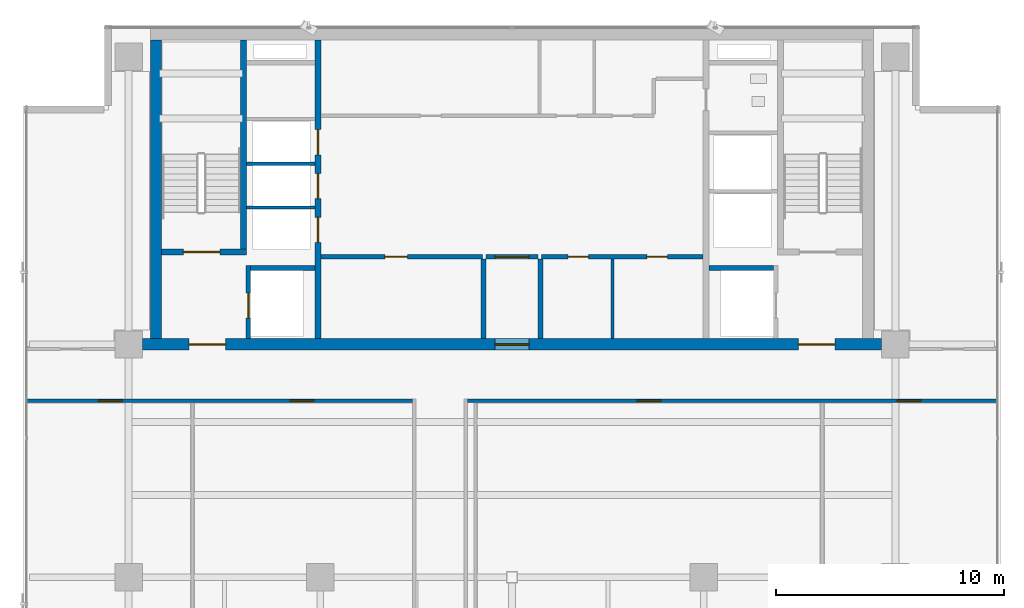
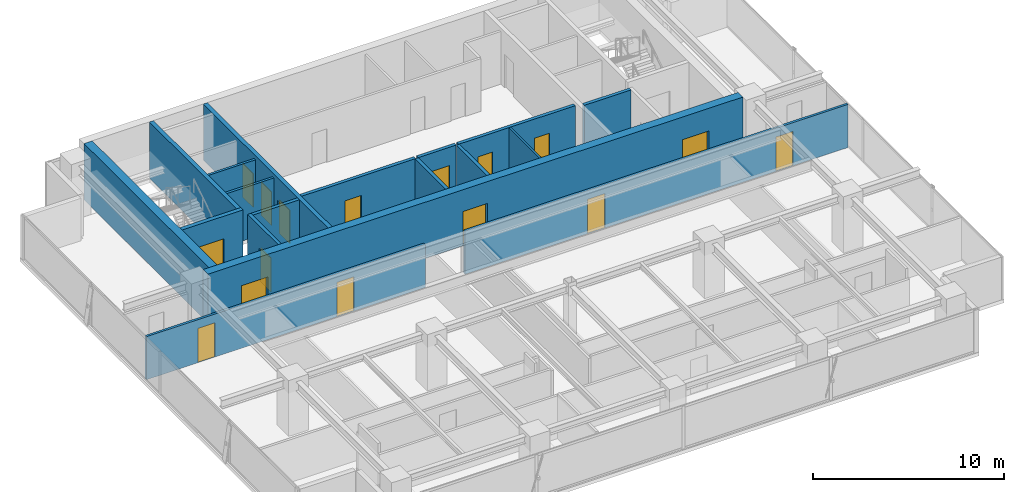
# One storey, part 15 of 22: 18 walls, 16 doors, 16 openings.
"""IFC4 building model written with IfcOpenShell, lengths in metres."""

from ifc_helpers import new_model, si_unit, direction, frame, frame_2d, origin, place, context, subcontext, project, spatial, rectangle, extrude, source, transform, mapped, material, layer, layer_set, type_object, element, fill, save


model = new_model("IFC4")

# Units and contexts
model_context = context("Model", 3, precision=1e-05, world=origin(), true_north=direction((0.0, 1.0)))
body_context = subcontext(model_context, "Body", "Model", "MODEL_VIEW")
ifc_project = project(units=[si_unit("LENGTHUNIT", "METRE"), si_unit("AREAUNIT", "SQUARE_METRE"), si_unit("VOLUMEUNIT", "CUBIC_METRE"), si_unit("PLANEANGLEUNIT", "RADIAN"), si_unit("MASSUNIT", "GRAM", prefix="KILO")], contexts=[model_context])

# Site, building, storey
site_placement = place(None, origin())
site = spatial("IfcSite", under=ifc_project, at=site_placement, CompositionType="ELEMENT")
building_placement = place(site_placement, origin())
building = spatial("IfcBuilding", under=site, at=building_placement, Name="Sumidabori Civic Tower", CompositionType="ELEMENT")
storey_placement = place(building_placement, frame((0.0, 0.0, 279.199951171875)))
storey = spatial("IfcBuildingStorey", under=building, at=storey_placement, Name="L73", CompositionType="ELEMENT", Elevation=279.199951171875)

# Walls
ifc_material_1 = material(Name="Concrete C50/60", Category="concrete")
ifc_layer_1 = layer(ifc_material_1, 0.199951171875, Name="Concrete C50/60")
ifc_layer_set_1 = layer_set([ifc_layer_1], Name="Concrete C50/60")
wall_type_1 = type_object("IfcWallType", Name="WL-SHAFT-200", PredefinedType="SHEAR", material=ifc_layer_set_1)
shared_shape_1 = source(origin(), body_context, "Body", "SweptSolid", [
    extrude(rectangle(XDim=2.824951171875, YDim=0.199951171875, at=frame_2d((1.41259765625, 0.0))), origin(), (0.0, 0.0, 1.0), 3.60009765625),
])
for number, where, z_axis, x_axis, name in (
    (1, (-11.449951171875, 13.550048828125, 0.0), (0.0, 0.0, 1.0), (1.0, 0.0, 0.0), "Core Shear Wall L73 EL1-N"),
    (2, (8.625, 13.550048828125, 0.0), (0.0, 0.0, 1.0), (1.0, 0.0, 0.0), "Core Shear Wall L73 EL2-N"),
):
    element("IfcWall", number, at=place(storey_placement, frame(where, z_axis=z_axis, x_axis=x_axis)), inside=storey, type_object=wall_type_1, Name=name, PredefinedType="SHEAR", context=body_context, shape_type="MappedRepresentation", body=[
        mapped(shared_shape_1, transform((0.0, 0.0, 0.0), x_axis=(1.0, 0.0, 0.0), y_axis=(0.0, 1.0, 0.0), z_axis=(0.0, 0.0, 1.0), scale=1.0)),
    ])
ifc_layer_2 = layer(ifc_material_1, 0.5, Name="Concrete C50/60")
ifc_layer_set_2 = layer_set([ifc_layer_2], Name="Concrete C50/60")
wall_type_2 = type_object("IfcWallType", Name="WL-CORE-500", PredefinedType="SHEAR", material=ifc_layer_set_2)
shared_shape_2 = source(origin(), body_context, "Body", "SweptSolid", [
    extrude(rectangle(XDim=13.10009765625, YDim=0.5, at=frame_2d((6.550048828125, 0.0))), origin(), (0.0, 0.0, 1.0), 3.60009765625),
])
wall_1_placement = place(storey_placement, frame((-15.60009765625, 10.449951171875, 0.0), z_axis=(0.0, 0.0, 1.0), x_axis=(0.0, 1.0, 0.0)))
element("IfcWall", 3, at=wall_1_placement, inside=storey, type_object=wall_type_2, Name="Core Shear Wall L73 W", PredefinedType="SHEAR", context=body_context, shape_type="MappedRepresentation", body=[
    mapped(shared_shape_2, transform((0.0, 0.0, 0.0), x_axis=(1.0, 0.0, 0.0), y_axis=(0.0, 1.0, 0.0), z_axis=(0.0, 0.0, 1.0), scale=1.0)),
])

# Wall, openings, doors
ifc_layer_3 = layer(ifc_material_1, 0.25, Name="Concrete C50/60")
ifc_layer_set_3 = layer_set([ifc_layer_3], Name="Concrete C50/60")
wall_type_3 = type_object("IfcWallType", Name="WL-SHAFT-250", PredefinedType="SHEAR", material=ifc_layer_set_3)
shared_shape_3 = source(origin(), body_context, "Body", "SweptSolid", [
    extrude(rectangle(XDim=13.10009765625, YDim=0.25, at=frame_2d((6.550048828125, 0.0))), origin(), (0.0, 0.0, 1.0), 3.60009765625),
])
wall_2_placement = place(storey_placement, frame((-8.5, 10.449951171875, 0.0), z_axis=(0.0, 0.0, 1.0), x_axis=(0.0, 1.0, 0.0)))
wall_2 = element("IfcWall", 4, at=wall_2_placement, inside=storey, type_object=wall_type_3, Name="Core Shear Wall L73 WEB-W", PredefinedType="SHEAR", context=body_context, shape_type="MappedRepresentation", body=[
    mapped(shared_shape_3, transform((0.0, 0.0, 0.0), x_axis=(1.0, 0.0, 0.0), y_axis=(0.0, 1.0, 0.0), z_axis=(0.0, 0.0, 1.0), scale=1.0)),
])
opening_1_placement = place(wall_2_placement, frame((4.219970703125, 0.0, 0.0)))
opening_1 = element("IfcOpeningElement", 5, at=opening_1_placement, cuts=wall_2, Name="Opening LD-1", PredefinedType="OPENING", context=body_context, shape_type="SweptSolid", body=[
    extrude(rectangle(XDim=1.10009765625, YDim=2.14990234375, at=frame_2d((0.550048828125, 1.074951171875))), frame((0.0, 0.136962890625, 0.0), z_axis=(0.0, -1.0, 0.0), x_axis=(1.0, 0.0, 0.0)), (0.0, 0.0, 1.0), 0.27392578125),
])
opening_2_placement = place(wall_2_placement, frame((6.139892578125, 0.0, 0.0)))
opening_2 = element("IfcOpeningElement", 6, at=opening_2_placement, cuts=wall_2, Name="Opening LD-1", PredefinedType="OPENING", context=body_context, shape_type="SweptSolid", body=[
    extrude(rectangle(XDim=1.10009765625, YDim=2.14990234375, at=frame_2d((0.550048828125, 1.074951171875))), frame((0.0, 0.136962890625, 0.0), z_axis=(0.0, -1.0, 0.0), x_axis=(1.0, 0.0, 0.0)), (0.0, 0.0, 1.0), 0.27392578125),
])
opening_3_placement = place(wall_2_placement, frame((8.06005859375, 0.0, 0.0)))
opening_3 = element("IfcOpeningElement", 7, at=opening_3_placement, cuts=wall_2, Name="Opening LD-1", PredefinedType="OPENING", context=body_context, shape_type="SweptSolid", body=[
    extrude(rectangle(XDim=1.10009765625, YDim=2.14990234375, at=frame_2d((0.550048828125, 1.074951171875))), frame((0.0, 0.136962890625, 0.0), z_axis=(0.0, -1.0, 0.0), x_axis=(1.0, 0.0, 0.0)), (0.0, 0.0, 1.0), 0.27392578125),
])
ifc_material_2 = material(Name="Stainless Steel Hairline Finish", Category="steel")
door_type_1 = type_object("IfcDoorType", Name="DR-LD1", OperationType="DOUBLE_DOOR_SLIDING", PredefinedType="DOOR", material=ifc_material_2)
shared_shape_4 = source(origin(), body_context, "Body", "SweptSolid", [
    extrude(rectangle(XDim=1.10009765625, YDim=2.14990234375, at=frame_2d((0.550048828125, 1.074951171875))), frame((0.0, 0.02490234375, 0.0), z_axis=(0.0, -1.0, 0.0), x_axis=(1.0, 0.0, 0.0)), (0.0, 0.0, 1.0), 0.050048828125),
])
door_1_placement = place(opening_1_placement, origin())
door_1 = element("IfcDoor", 8, at=door_1_placement, inside=storey, type_object=door_type_1, Name="Door DR:L73:LD-PLH1", OperationType="DOUBLE_DOOR_SLIDING", OverallHeight=2.14990234375, OverallWidth=1.10009765625, PredefinedType="DOOR", context=body_context, shape_type="MappedRepresentation", body=[
    mapped(shared_shape_4, transform((0.0, 0.0, 0.0), x_axis=(1.0, 0.0, 0.0), y_axis=(0.0, 1.0, 0.0), z_axis=(0.0, 0.0, 1.0), scale=1.0)),
])
fill(opening_1, door_1)
door_2_placement = place(opening_2_placement, origin())
door_2 = element("IfcDoor", 9, at=door_2_placement, inside=storey, type_object=door_type_1, Name="Door DR:L73:LD-PLH2", OperationType="DOUBLE_DOOR_SLIDING", OverallHeight=2.14990234375, OverallWidth=1.10009765625, PredefinedType="DOOR", context=body_context, shape_type="MappedRepresentation", body=[
    mapped(shared_shape_4, transform((0.0, 0.0, 0.0), x_axis=(1.0, 0.0, 0.0), y_axis=(0.0, 1.0, 0.0), z_axis=(0.0, 0.0, 1.0), scale=1.0)),
])
fill(opening_2, door_2)
door_3_placement = place(opening_3_placement, origin())
door_3 = element("IfcDoor", 10, at=door_3_placement, inside=storey, type_object=door_type_1, Name="Door DR:L73:LD-PLH3", OperationType="DOUBLE_DOOR_SLIDING", OverallHeight=2.14990234375, OverallWidth=1.10009765625, PredefinedType="DOOR", context=body_context, shape_type="MappedRepresentation", body=[
    mapped(shared_shape_4, transform((0.0, 0.0, 0.0), x_axis=(1.0, 0.0, 0.0), y_axis=(0.0, 1.0, 0.0), z_axis=(0.0, 0.0, 1.0), scale=1.0)),
])
fill(opening_3, door_3)

# Wall, opening, door
shared_shape_5 = source(origin(), body_context, "Body", "SweptSolid", [
    extrude(rectangle(XDim=3.705078125, YDim=0.25, at=frame_2d((1.8525390625, 0.0))), origin(), (0.0, 0.0, 1.0), 3.60009765625),
])
wall_3_placement = place(storey_placement, frame((-15.35009765625, 14.25, 0.0), z_axis=(0.0, 0.0, 1.0), x_axis=(1.0, 0.0, 0.0)))
wall_3 = element("IfcWall", 11, at=wall_3_placement, inside=storey, type_object=wall_type_3, Name="Core Shear Wall L73 ST1-S", PredefinedType="SHEAR", context=body_context, shape_type="MappedRepresentation", body=[
    mapped(shared_shape_5, transform((0.0, 0.0, 0.0), x_axis=(1.0, 0.0, 0.0), y_axis=(0.0, 1.0, 0.0), z_axis=(0.0, 0.0, 1.0), scale=1.0)),
])
opening_4_placement = place(wall_3_placement, frame((0.949951171875, 0.0, 0.0)))
opening_4 = element("IfcOpeningElement", 12, at=opening_4_placement, cuts=wall_3, Name="Opening DR-FD4", PredefinedType="OPENING", context=body_context, shape_type="SweptSolid", body=[
    extrude(rectangle(XDim=1.60009765625, YDim=2.14990234375, at=frame_2d((0.800048828125, 1.074951171875))), frame((0.0, 0.136962890625, 0.0), z_axis=(0.0, -1.0, 0.0), x_axis=(1.0, 0.0, 0.0)), (0.0, 0.0, 1.0), 0.27392578125),
])
ifc_material_3 = material(Name="Steel SN490", Category="steel")
door_type_2 = type_object("IfcDoorType", Name="DR-FD4", OperationType="DOUBLE_DOOR_SINGLE_SWING", PredefinedType="DOOR", material=ifc_material_3)
shared_shape_6 = source(origin(), body_context, "Body", "SweptSolid", [
    extrude(rectangle(XDim=1.60009765625, YDim=2.14990234375, at=frame_2d((0.800048828125, 1.074951171875))), frame((0.0, 0.02490234375, 0.0), z_axis=(0.0, -1.0, 0.0), x_axis=(1.0, 0.0, 0.0)), (0.0, 0.0, 1.0), 0.050048828125),
])
door_4_placement = place(opening_4_placement, origin())
door_4 = element("IfcDoor", 13, at=door_4_placement, inside=storey, type_object=door_type_2, Name="Door DR:L73:ST1", OperationType="DOUBLE_DOOR_SINGLE_SWING", OverallHeight=2.14990234375, OverallWidth=1.60009765625, PredefinedType="DOOR", context=body_context, shape_type="MappedRepresentation", body=[
    mapped(shared_shape_6, transform((0.0, 0.0, 0.0), x_axis=(1.0, 0.0, 0.0), y_axis=(0.0, 1.0, 0.0), z_axis=(0.0, 0.0, 1.0), scale=1.0)),
])
fill(opening_4, door_4)

# Wall
shared_shape_7 = source(origin(), body_context, "Body", "SweptSolid", [
    extrude(rectangle(XDim=9.175048828125, YDim=0.25, at=frame_2d((4.58740234375, 0.0))), origin(), (0.0, 0.0, 1.0), 3.60009765625),
])
wall_4_placement = place(storey_placement, frame((-11.77001953125, 14.375, 0.0), z_axis=(0.0, 0.0, 1.0), x_axis=(0.0, 1.0, 0.0)))
element("IfcWall", 14, at=wall_4_placement, inside=storey, type_object=wall_type_3, Name="Core Shear Wall L73 ST1-E", PredefinedType="SHEAR", context=body_context, shape_type="MappedRepresentation", body=[
    mapped(shared_shape_7, transform((0.0, 0.0, 0.0), x_axis=(1.0, 0.0, 0.0), y_axis=(0.0, 1.0, 0.0), z_axis=(0.0, 0.0, 1.0), scale=1.0)),
])

# Wall, opening, door
shared_shape_8 = source(origin(), body_context, "Body", "SweptSolid", [
    extrude(rectangle(XDim=3.199951171875, YDim=0.199951171875, at=frame_2d((1.60009765625, 0.0))), origin(), (0.0, 0.0, 1.0), 3.60009765625),
])
wall_5_placement = place(storey_placement, frame((-11.550048828125, 10.449951171875, 0.0), z_axis=(0.0, 0.0, 1.0), x_axis=(0.0, 1.0, 0.0)))
wall_5 = element("IfcWall", 15, at=wall_5_placement, inside=storey, type_object=wall_type_1, Name="Core Shear Wall L73 EL1-W", PredefinedType="SHEAR", context=body_context, shape_type="MappedRepresentation", body=[
    mapped(shared_shape_8, transform((0.0, 0.0, 0.0), x_axis=(1.0, 0.0, 0.0), y_axis=(0.0, 1.0, 0.0), z_axis=(0.0, 0.0, 1.0), scale=1.0)),
])
opening_5_placement = place(wall_5_placement, frame((0.89990234375, 0.0, 0.0)))
opening_5 = element("IfcOpeningElement", 16, at=opening_5_placement, cuts=wall_5, Name="Opening LD-2", PredefinedType="OPENING", context=body_context, shape_type="SweptSolid", body=[
    extrude(rectangle(XDim=1.10009765625, YDim=2.14990234375, at=frame_2d((0.550048828125, 1.074951171875))), frame((0.0, 0.11181640625, 0.0), z_axis=(0.0, -1.0, 0.0), x_axis=(1.0, 0.0, 0.0)), (0.0, 0.0, 1.0), 0.223876953125),
])
door_type_3 = type_object("IfcDoorType", Name="DR-LD2", OperationType="DOUBLE_DOOR_SLIDING", PredefinedType="DOOR", material=ifc_material_2)
door_5_placement = place(opening_5_placement, origin())
door_5 = element("IfcDoor", 17, at=door_5_placement, inside=storey, type_object=door_type_3, Name="Door DR:L73:LD-EL1", OperationType="DOUBLE_DOOR_SLIDING", OverallHeight=2.14990234375, OverallWidth=1.10009765625, PredefinedType="DOOR", context=body_context, shape_type="MappedRepresentation", body=[
    mapped(shared_shape_4, transform((0.0, 0.0, 0.0), x_axis=(1.0, 0.0, 0.0), y_axis=(0.0, 1.0, 0.0), z_axis=(0.0, 0.0, 1.0), scale=1.0)),
])
fill(opening_5, door_5)

# Wall, openings, doors
shared_shape_9 = source(origin(), body_context, "Body", "SweptSolid", [
    extrude(rectangle(XDim=32.39990234375, YDim=0.5, at=frame_2d((16.199951171875, 0.0))), origin(), (0.0, 0.0, 1.0), 3.60009765625),
])
wall_6_placement = place(storey_placement, frame((-16.199951171875, 10.199951171875, 0.0), z_axis=(0.0, 0.0, 1.0), x_axis=(1.0, 0.0, 0.0)))
wall_6 = element("IfcWall", 18, at=wall_6_placement, inside=storey, type_object=wall_type_2, Name="Core Shear Wall L73 S", PredefinedType="SHEAR", context=body_context, shape_type="MappedRepresentation", body=[
    mapped(shared_shape_9, transform((0.0, 0.0, 0.0), x_axis=(1.0, 0.0, 0.0), y_axis=(0.0, 1.0, 0.0), z_axis=(0.0, 0.0, 1.0), scale=1.0)),
])
opening_6_placement = place(wall_6_placement, frame((2.050048828125, 0.0, 0.0)))
opening_6 = element("IfcOpeningElement", 19, at=opening_6_placement, cuts=wall_6, Name="Opening DR-FD4", PredefinedType="OPENING", context=body_context, shape_type="SweptSolid", body=[
    extrude(rectangle(XDim=1.60009765625, YDim=2.14990234375, at=frame_2d((0.800048828125, 1.074951171875))), frame((0.0, 0.261962890625, 0.0), z_axis=(0.0, -1.0, 0.0), x_axis=(1.0, 0.0, 0.0)), (0.0, 0.0, 1.0), 0.52392578125),
])
opening_7_placement = place(wall_6_placement, frame((28.75, 0.0, 0.0)))
opening_7 = element("IfcOpeningElement", 20, at=opening_7_placement, cuts=wall_6, Name="Opening DR-FD4", PredefinedType="OPENING", context=body_context, shape_type="SweptSolid", body=[
    extrude(rectangle(XDim=1.60009765625, YDim=2.14990234375, at=frame_2d((0.800048828125, 1.074951171875))), frame((0.0, 0.261962890625, 0.0), z_axis=(0.0, -1.0, 0.0), x_axis=(1.0, 0.0, 0.0)), (0.0, 0.0, 1.0), 0.52392578125),
])
opening_8_placement = place(wall_6_placement, frame((15.449951171875, 0.0, 0.0)))
opening_8 = element("IfcOpeningElement", 21, at=opening_8_placement, cuts=wall_6, Name="Opening DR-FD3", PredefinedType="OPENING", context=body_context, shape_type="SweptSolid", body=[
    extrude(rectangle(XDim=1.5, YDim=2.199951171875, at=frame_2d((0.75, 1.10009765625))), frame((0.0, 0.261962890625, 0.0), z_axis=(0.0, -1.0, 0.0), x_axis=(1.0, 0.0, 0.0)), (0.0, 0.0, 1.0), 0.52392578125),
])
door_6_placement = place(opening_6_placement, origin())
door_6 = element("IfcDoor", 22, at=door_6_placement, inside=storey, type_object=door_type_2, Name="Door DR:L73:ELOB-W", OperationType="DOUBLE_DOOR_SINGLE_SWING", OverallHeight=2.14990234375, OverallWidth=1.60009765625, PredefinedType="DOOR", context=body_context, shape_type="MappedRepresentation", body=[
    mapped(shared_shape_6, transform((0.0, 0.0, 0.0), x_axis=(1.0, 0.0, 0.0), y_axis=(0.0, 1.0, 0.0), z_axis=(0.0, 0.0, 1.0), scale=1.0)),
])
fill(opening_6, door_6)
door_7_placement = place(opening_7_placement, origin())
door_7 = element("IfcDoor", 23, at=door_7_placement, inside=storey, type_object=door_type_2, Name="Door DR:L73:ELOB-E", OperationType="DOUBLE_DOOR_SINGLE_SWING", OverallHeight=2.14990234375, OverallWidth=1.60009765625, PredefinedType="DOOR", context=body_context, shape_type="MappedRepresentation", body=[
    mapped(shared_shape_6, transform((0.0, 0.0, 0.0), x_axis=(1.0, 0.0, 0.0), y_axis=(0.0, 1.0, 0.0), z_axis=(0.0, 0.0, 1.0), scale=1.0)),
])
fill(opening_7, door_7)
door_type_4 = type_object("IfcDoorType", Name="DR-FD-DBL", OperationType="DOUBLE_DOOR_SINGLE_SWING", PredefinedType="DOOR", material=ifc_material_3)
shared_shape_10 = source(origin(), body_context, "Body", "SweptSolid", [
    extrude(rectangle(XDim=1.5, YDim=2.199951171875, at=frame_2d((0.75, 1.10009765625))), frame((0.0, 0.02490234375, 0.0), z_axis=(0.0, -1.0, 0.0), x_axis=(1.0, 0.0, 0.0)), (0.0, 0.0, 1.0), 0.050048828125),
])
door_8_placement = place(opening_8_placement, origin())
door_8 = element("IfcDoor", 24, at=door_8_placement, inside=storey, type_object=door_type_4, Name="Door DR:L73:THROAT-OUT", OperationType="DOUBLE_DOOR_SINGLE_SWING", OverallHeight=2.199951171875, OverallWidth=1.5, PredefinedType="DOOR", context=body_context, shape_type="MappedRepresentation", body=[
    mapped(shared_shape_10, transform((0.0, 0.0, 0.0), x_axis=(1.0, 0.0, 0.0), y_axis=(0.0, 1.0, 0.0), z_axis=(0.0, 0.0, 1.0), scale=1.0)),
])
fill(opening_8, door_8)

# Walls
ifc_material_4 = material(Name="Gypsum Plasterboard Acoustic Partition")
ifc_layer_4 = layer(ifc_material_4, 0.14990234375, Name="Gypsum Plasterboard Acoustic Partition")
ifc_layer_set_4 = layer_set([ifc_layer_4], Name="Gypsum Plasterboard Acoustic Partition")
wall_type_4 = type_object("IfcWallType", Name="WL-PART-150", PredefinedType="PARTITIONING", material=ifc_layer_set_4)
shared_shape_11 = source(origin(), body_context, "Body", "SweptSolid", [
    extrude(rectangle(XDim=3.010009765625, YDim=0.14990234375, at=frame_2d((1.5048828125, 0.0))), origin(), (0.0, 0.0, 1.0), 3.3701171875),
])
for number, where, z_axis, x_axis, name in (
    (25, (-11.639892578125, 16.199951171875, 0.0), (0.0, 0.0, 1.0), (1.0, 0.0, 0.0), "Interior Partition WL:L73:DIV-PLH1"),
    (26, (-11.639892578125, 18.1201171875, 0.0), (0.0, 0.0, 1.0), (1.0, 0.0, 0.0), "Interior Partition WL:L73:DIV-PLH2"),
):
    element("IfcWall", number, at=place(storey_placement, frame(where, z_axis=z_axis, x_axis=x_axis)), inside=storey, type_object=wall_type_4, Name=name, PredefinedType="PARTITIONING", context=body_context, shape_type="MappedRepresentation", body=[
        mapped(shared_shape_11, transform((0.0, 0.0, 0.0), x_axis=(1.0, 0.0, 0.0), y_axis=(0.0, 1.0, 0.0), z_axis=(0.0, 0.0, 1.0), scale=1.0)),
    ])

# Wall, opening, door
ifc_material_5 = material(Name="Gypsum Plasterboard Fire Partition")
ifc_layer_5 = layer(ifc_material_5, 0.199951171875, Name="Gypsum Plasterboard Fire Partition")
ifc_layer_set_5 = layer_set([ifc_layer_5], Name="Gypsum Plasterboard Fire Partition")
wall_type_5 = type_object("IfcWallType", Name="WL-PART-FIRE", PredefinedType="PARTITIONING", material=ifc_layer_set_5)
shared_shape_12 = source(origin(), body_context, "Body", "SweptSolid", [
    extrude(rectangle(XDim=7.070068359375, YDim=0.199951171875, at=frame_2d((3.53515625, 0.0))), origin(), (0.0, 0.0, 1.0), 3.3701171875),
])
wall_7_placement = place(storey_placement, frame((-8.3701171875, 14.050048828125, 0.0), z_axis=(0.0, 0.0, 1.0), x_axis=(1.0, 0.0, 0.0)))
wall_7 = element("IfcWall", 27, at=wall_7_placement, inside=storey, type_object=wall_type_5, Name="Interior Partition WL:L73:CBAND-SW", PredefinedType="PARTITIONING", context=body_context, shape_type="MappedRepresentation", body=[
    mapped(shared_shape_12, transform((0.0, 0.0, 0.0), x_axis=(1.0, 0.0, 0.0), y_axis=(0.0, 1.0, 0.0), z_axis=(0.0, 0.0, 1.0), scale=1.0)),
])
opening_9_placement = place(wall_7_placement, frame((2.800048828125, 0.0, 0.0)))
opening_9 = element("IfcOpeningElement", 28, at=opening_9_placement, cuts=wall_7, Name="Opening DR-3", PredefinedType="OPENING", context=body_context, shape_type="SweptSolid", body=[
    extrude(rectangle(XDim=0.97998046875, YDim=2.14990234375, at=frame_2d((0.489990234375, 1.074951171875))), frame((0.0, 0.11181640625, 0.0), z_axis=(0.0, -1.0, 0.0), x_axis=(1.0, 0.0, 0.0)), (0.0, 0.0, 1.0), 0.223876953125),
])
ifc_material_6 = material(Name="Japanese Hinoki Timber", Category="wood")
door_type_5 = type_object("IfcDoorType", Name="DR-INT-980", OperationType="NOTDEFINED", PredefinedType="DOOR", material=ifc_material_6)
shared_shape_13 = source(origin(), body_context, "Body", "SweptSolid", [
    extrude(rectangle(XDim=0.97998046875, YDim=2.14990234375, at=frame_2d((0.489990234375, 1.074951171875))), frame((0.0, 0.02490234375, 0.0), z_axis=(0.0, -1.0, 0.0), x_axis=(1.0, 0.0, 0.0)), (0.0, 0.0, 1.0), 0.050048828125),
])
door_9_placement = place(opening_9_placement, origin())
door_9 = element("IfcDoor", 29, at=door_9_placement, inside=storey, type_object=door_type_5, Name="Door DR:L73:REC-B1", OperationType="SINGLE_SWING_LEFT", OverallHeight=2.14990234375, OverallWidth=0.97998046875, PredefinedType="DOOR", context=body_context, shape_type="MappedRepresentation", body=[
    mapped(shared_shape_13, transform((0.0, 0.0, 0.0), x_axis=(1.0, 0.0, 0.0), y_axis=(0.0, 1.0, 0.0), z_axis=(0.0, 0.0, 1.0), scale=1.0)),
])
fill(opening_9, door_9)

# Wall, openings, doors
wall_8_placement = place(storey_placement, frame((1.300048828125, 14.050048828125, 0.0), z_axis=(0.0, 0.0, 1.0), x_axis=(1.0, 0.0, 0.0)))
wall_8 = element("IfcWall", 30, at=wall_8_placement, inside=storey, type_object=wall_type_5, Name="Interior Partition WL:L73:CBAND-SE", PredefinedType="PARTITIONING", context=body_context, shape_type="MappedRepresentation", body=[
    mapped(shared_shape_12, transform((0.0, 0.0, 0.0), x_axis=(1.0, 0.0, 0.0), y_axis=(0.0, 1.0, 0.0), z_axis=(0.0, 0.0, 1.0), scale=1.0)),
])
opening_10_placement = place(wall_8_placement, frame((1.159912109375, 0.0, 0.0)))
opening_10 = element("IfcOpeningElement", 31, at=opening_10_placement, cuts=wall_8, Name="Opening DR-1", PredefinedType="OPENING", context=body_context, shape_type="SweptSolid", body=[
    extrude(rectangle(XDim=0.89990234375, YDim=2.14990234375, at=frame_2d((0.449951171875, 1.074951171875))), frame((0.0, 0.11181640625, 0.0), z_axis=(0.0, -1.0, 0.0), x_axis=(1.0, 0.0, 0.0)), (0.0, 0.0, 1.0), 0.223876953125),
])
opening_11_placement = place(wall_8_placement, frame((4.610107421875, 0.0, 0.0)))
opening_11 = element("IfcOpeningElement", 32, at=opening_11_placement, cuts=wall_8, Name="Opening DR-1", PredefinedType="OPENING", context=body_context, shape_type="SweptSolid", body=[
    extrude(rectangle(XDim=0.89990234375, YDim=2.14990234375, at=frame_2d((0.449951171875, 1.074951171875))), frame((0.0, 0.11181640625, 0.0), z_axis=(0.0, -1.0, 0.0), x_axis=(1.0, 0.0, 0.0)), (0.0, 0.0, 1.0), 0.223876953125),
])
door_type_6 = type_object("IfcDoorType", Name="DR-INT-900", OperationType="NOTDEFINED", PredefinedType="DOOR", material=ifc_material_6)
shared_shape_14 = source(origin(), body_context, "Body", "SweptSolid", [
    extrude(rectangle(XDim=0.89990234375, YDim=2.14990234375, at=frame_2d((0.449951171875, 1.074951171875))), frame((0.0, 0.02490234375, 0.0), z_axis=(0.0, -1.0, 0.0), x_axis=(1.0, 0.0, 0.0)), (0.0, 0.0, 1.0), 0.050048828125),
])
door_10_placement = place(opening_10_placement, origin())
door_10 = element("IfcDoor", 33, at=door_10_placement, inside=storey, type_object=door_type_6, Name="Door DR:L73:REC-B2A", OperationType="SINGLE_SWING_LEFT", OverallHeight=2.14990234375, OverallWidth=0.89990234375, PredefinedType="DOOR", context=body_context, shape_type="MappedRepresentation", body=[
    mapped(shared_shape_14, transform((0.0, 0.0, 0.0), x_axis=(1.0, 0.0, 0.0), y_axis=(0.0, 1.0, 0.0), z_axis=(0.0, 0.0, 1.0), scale=1.0)),
])
fill(opening_10, door_10)
door_11_placement = place(opening_11_placement, origin())
door_11 = element("IfcDoor", 34, at=door_11_placement, inside=storey, type_object=door_type_6, Name="Door DR:L73:REC-B2B", OperationType="SINGLE_SWING_RIGHT", OverallHeight=2.14990234375, OverallWidth=0.89990234375, PredefinedType="DOOR", context=body_context, shape_type="MappedRepresentation", body=[
    mapped(shared_shape_14, transform((0.0, 0.0, 0.0), x_axis=(1.0, 0.0, 0.0), y_axis=(0.0, 1.0, 0.0), z_axis=(0.0, 0.0, 1.0), scale=1.0)),
])
fill(opening_11, door_11)

# Walls
shared_shape_15 = source(origin(), body_context, "Body", "SweptSolid", [
    extrude(rectangle(XDim=3.489990234375, YDim=0.199951171875, at=frame_2d((1.7451171875, 0.0))), origin(), (0.0, 0.0, 1.0), 3.3701171875),
])
for number, where, z_axis, x_axis, name in (
    (35, (-1.25, 10.449951171875, 0.0), (0.0, 0.0, 1.0), (0.0, 1.0, 0.0), "Interior Partition WL:L73:THROAT-W"),
    (36, (1.25, 10.449951171875, 0.0), (0.0, 0.0, 1.0), (0.0, 1.0, 0.0), "Interior Partition WL:L73:THROAT-E"),
):
    element("IfcWall", number, at=place(storey_placement, frame(where, z_axis=z_axis, x_axis=x_axis)), inside=storey, type_object=wall_type_5, Name=name, PredefinedType="PARTITIONING", context=body_context, shape_type="MappedRepresentation", body=[
        mapped(shared_shape_15, transform((0.0, 0.0, 0.0), x_axis=(1.0, 0.0, 0.0), y_axis=(0.0, 1.0, 0.0), z_axis=(0.0, 0.0, 1.0), scale=1.0)),
    ])

# Wall, opening, door
shared_shape_16 = source(origin(), body_context, "Body", "SweptSolid", [
    extrude(rectangle(XDim=2.2998046875, YDim=0.199951171875, at=frame_2d((1.14990234375, 0.0))), origin(), (0.0, 0.0, 1.0), 3.3701171875),
])
wall_9_placement = place(storey_placement, frame((-1.14990234375, 14.050048828125, 0.0), z_axis=(0.0, 0.0, 1.0), x_axis=(1.0, 0.0, 0.0)))
wall_9 = element("IfcWall", 37, at=wall_9_placement, inside=storey, type_object=wall_type_5, Name="Interior Partition WL:L73:THROAT-N", PredefinedType="PARTITIONING", context=body_context, shape_type="MappedRepresentation", body=[
    mapped(shared_shape_16, transform((0.0, 0.0, 0.0), x_axis=(1.0, 0.0, 0.0), y_axis=(0.0, 1.0, 0.0), z_axis=(0.0, 0.0, 1.0), scale=1.0)),
])
opening_12_placement = place(wall_9_placement, frame((0.39990234375, 0.0, 0.0)))
opening_12 = element("IfcOpeningElement", 38, at=opening_12_placement, cuts=wall_9, Name="Opening DR-FD3", PredefinedType="OPENING", context=body_context, shape_type="SweptSolid", body=[
    extrude(rectangle(XDim=1.5, YDim=2.199951171875, at=frame_2d((0.75, 1.10009765625))), frame((0.0, 0.11181640625, 0.0), z_axis=(0.0, -1.0, 0.0), x_axis=(1.0, 0.0, 0.0)), (0.0, 0.0, 1.0), 0.223876953125),
])
door_12_placement = place(opening_12_placement, origin())
door_12 = element("IfcDoor", 39, at=door_12_placement, inside=storey, type_object=door_type_4, Name="Door DR:L73:THROAT-IN", OperationType="DOUBLE_DOOR_SINGLE_SWING", OverallHeight=2.199951171875, OverallWidth=1.5, PredefinedType="DOOR", context=body_context, shape_type="MappedRepresentation", body=[
    mapped(shared_shape_10, transform((0.0, 0.0, 0.0), x_axis=(1.0, 0.0, 0.0), y_axis=(0.0, 1.0, 0.0), z_axis=(0.0, 0.0, 1.0), scale=1.0)),
])
fill(opening_12, door_12)

# Wall
ifc_layer_6 = layer(ifc_material_4, 0.1201171875, Name="Gypsum Plasterboard Acoustic Partition")
ifc_layer_set_6 = layer_set([ifc_layer_6], Name="Gypsum Plasterboard Acoustic Partition")
wall_type_6 = type_object("IfcWallType", Name="WL-PART-120", PredefinedType="PARTITIONING", material=ifc_layer_set_6)
shared_shape_17 = source(origin(), body_context, "Body", "SweptSolid", [
    extrude(rectangle(XDim=3.489990234375, YDim=0.1201171875, at=frame_2d((1.7451171875, 0.0))), origin(), (0.0, 0.0, 1.0), 3.3701171875),
])
wall_10_placement = place(storey_placement, frame((4.39990234375, 10.449951171875, 0.0), z_axis=(0.0, 0.0, 1.0), x_axis=(0.0, 1.0, 0.0)))
element("IfcWall", 40, at=wall_10_placement, inside=storey, type_object=wall_type_6, Name="Interior Partition WL:L73:REC-B2-SP", PredefinedType="PARTITIONING", context=body_context, shape_type="MappedRepresentation", body=[
    mapped(shared_shape_17, transform((0.0, 0.0, 0.0), x_axis=(1.0, 0.0, 0.0), y_axis=(0.0, 1.0, 0.0), z_axis=(0.0, 0.0, 1.0), scale=1.0)),
])

# Wall, openings, doors
shared_shape_18 = source(origin(), body_context, "Body", "SweptSolid", [
    extrude(rectangle(XDim=16.89990234375, YDim=0.14990234375, at=frame_2d((8.449951171875, 0.0))), origin(), (0.0, 0.0, 1.0), 2.755126953125),
])
wall_11_placement = place(storey_placement, frame((-21.25, 7.72509765625, 0.0), z_axis=(0.0, 0.0, 1.0), x_axis=(1.0, 0.0, 0.0)))
wall_11 = element("IfcWall", 41, at=wall_11_placement, inside=storey, type_object=wall_type_4, Name="Interior Partition WL:L73:CORR-SW", PredefinedType="PARTITIONING", context=body_context, shape_type="MappedRepresentation", body=[
    mapped(shared_shape_18, transform((0.0, 0.0, 0.0), x_axis=(1.0, 0.0, 0.0), y_axis=(0.0, 1.0, 0.0), z_axis=(0.0, 0.0, 1.0), scale=1.0)),
])
opening_13_placement = place(wall_11_placement, frame((3.12744140625, 0.0, 0.0)))
opening_13 = element("IfcOpeningElement", 42, at=opening_13_placement, cuts=wall_11, Name="Opening DR-4", PredefinedType="OPENING", context=body_context, shape_type="SweptSolid", body=[
    extrude(rectangle(XDim=1.0400390625, YDim=2.199951171875, at=frame_2d((0.52001953125, 1.10009765625))), frame((0.0, 0.0869140625, 0.0), z_axis=(0.0, -1.0, 0.0), x_axis=(1.0, 0.0, 0.0)), (0.0, 0.0, 1.0), 0.173828125),
])
opening_14_placement = place(wall_11_placement, frame((11.532470703125, 0.0, 0.0)))
opening_14 = element("IfcOpeningElement", 43, at=opening_14_placement, cuts=wall_11, Name="Opening DR-4", PredefinedType="OPENING", context=body_context, shape_type="SweptSolid", body=[
    extrude(rectangle(XDim=1.0400390625, YDim=2.199951171875, at=frame_2d((0.52001953125, 1.10009765625))), frame((0.0, 0.0869140625, 0.0), z_axis=(0.0, -1.0, 0.0), x_axis=(1.0, 0.0, 0.0)), (0.0, 0.0, 1.0), 0.173828125),
])
door_type_7 = type_object("IfcDoorType", Name="DR-INT-1040", OperationType="NOTDEFINED", PredefinedType="DOOR", material=ifc_material_6)
shared_shape_19 = source(origin(), body_context, "Body", "SweptSolid", [
    extrude(rectangle(XDim=1.0400390625, YDim=2.199951171875, at=frame_2d((0.52001953125, 1.10009765625))), frame((0.0, 0.02490234375, 0.0), z_axis=(0.0, -1.0, 0.0), x_axis=(1.0, 0.0, 0.0)), (0.0, 0.0, 1.0), 0.050048828125),
])
door_13_placement = place(opening_13_placement, origin())
door_13 = element("IfcDoor", 44, at=door_13_placement, inside=storey, type_object=door_type_7, Name="Door DR:L73:D03", OperationType="SINGLE_SWING_LEFT", OverallHeight=2.199951171875, OverallWidth=1.0400390625, PredefinedType="DOOR", context=body_context, shape_type="MappedRepresentation", body=[
    mapped(shared_shape_19, transform((0.0, 0.0, 0.0), x_axis=(1.0, 0.0, 0.0), y_axis=(0.0, 1.0, 0.0), z_axis=(0.0, 0.0, 1.0), scale=1.0)),
])
fill(opening_13, door_13)
door_14_placement = place(opening_14_placement, origin())
door_14 = element("IfcDoor", 45, at=door_14_placement, inside=storey, type_object=door_type_7, Name="Door DR:L73:D04", OperationType="SINGLE_SWING_RIGHT", OverallHeight=2.199951171875, OverallWidth=1.0400390625, PredefinedType="DOOR", context=body_context, shape_type="MappedRepresentation", body=[
    mapped(shared_shape_19, transform((0.0, 0.0, 0.0), x_axis=(1.0, 0.0, 0.0), y_axis=(0.0, 1.0, 0.0), z_axis=(0.0, 0.0, 1.0), scale=1.0)),
])
fill(opening_14, door_14)

shared_shape_20 = source(origin(), body_context, "Body", "SweptSolid", [
    extrude(rectangle(XDim=23.199951171875, YDim=0.14990234375, at=frame_2d((11.60009765625, 0.0))), origin(), (0.0, 0.0, 1.0), 2.755126953125),
])
wall_12_placement = place(storey_placement, frame((-1.949951171875, 7.72509765625, 0.0), z_axis=(0.0, 0.0, 1.0), x_axis=(1.0, 0.0, 0.0)))
wall_12 = element("IfcWall", 46, at=wall_12_placement, inside=storey, type_object=wall_type_4, Name="Interior Partition WL:L73:CORR-SE", PredefinedType="PARTITIONING", context=body_context, shape_type="MappedRepresentation", body=[
    mapped(shared_shape_20, transform((0.0, 0.0, 0.0), x_axis=(1.0, 0.0, 0.0), y_axis=(0.0, 1.0, 0.0), z_axis=(0.0, 0.0, 1.0), scale=1.0)),
])
opening_15_placement = place(wall_12_placement, frame((7.429931640625, 0.0, 0.0)))
opening_15 = element("IfcOpeningElement", 47, at=opening_15_placement, cuts=wall_12, Name="Opening DR-4", PredefinedType="OPENING", context=body_context, shape_type="SweptSolid", body=[
    extrude(rectangle(XDim=1.0400390625, YDim=2.199951171875, at=frame_2d((0.52001953125, 1.10009765625))), frame((0.0, 0.0869140625, 0.0), z_axis=(0.0, -1.0, 0.0), x_axis=(1.0, 0.0, 0.0)), (0.0, 0.0, 1.0), 0.173828125),
])
opening_16_placement = place(wall_12_placement, frame((18.83251953125, 0.0, 0.0)))
opening_16 = element("IfcOpeningElement", 48, at=opening_16_placement, cuts=wall_12, Name="Opening DR-4", PredefinedType="OPENING", context=body_context, shape_type="SweptSolid", body=[
    extrude(rectangle(XDim=1.0400390625, YDim=2.199951171875, at=frame_2d((0.52001953125, 1.10009765625))), frame((0.0, 0.0869140625, 0.0), z_axis=(0.0, -1.0, 0.0), x_axis=(1.0, 0.0, 0.0)), (0.0, 0.0, 1.0), 0.173828125),
])
door_15_placement = place(opening_15_placement, origin())
door_15 = element("IfcDoor", 49, at=door_15_placement, inside=storey, type_object=door_type_7, Name="Door DR:L73:D05", OperationType="SINGLE_SWING_LEFT", OverallHeight=2.199951171875, OverallWidth=1.0400390625, PredefinedType="DOOR", context=body_context, shape_type="MappedRepresentation", body=[
    mapped(shared_shape_19, transform((0.0, 0.0, 0.0), x_axis=(1.0, 0.0, 0.0), y_axis=(0.0, 1.0, 0.0), z_axis=(0.0, 0.0, 1.0), scale=1.0)),
])
fill(opening_15, door_15)
door_16_placement = place(opening_16_placement, origin())
door_16 = element("IfcDoor", 50, at=door_16_placement, inside=storey, type_object=door_type_7, Name="Door DR:L73:D06", OperationType="SINGLE_SWING_RIGHT", OverallHeight=2.199951171875, OverallWidth=1.0400390625, PredefinedType="DOOR", context=body_context, shape_type="MappedRepresentation", body=[
    mapped(shared_shape_19, transform((0.0, 0.0, 0.0), x_axis=(1.0, 0.0, 0.0), y_axis=(0.0, 1.0, 0.0), z_axis=(0.0, 0.0, 1.0), scale=1.0)),
])
fill(opening_16, door_16)

save(model, "model.ifc")
